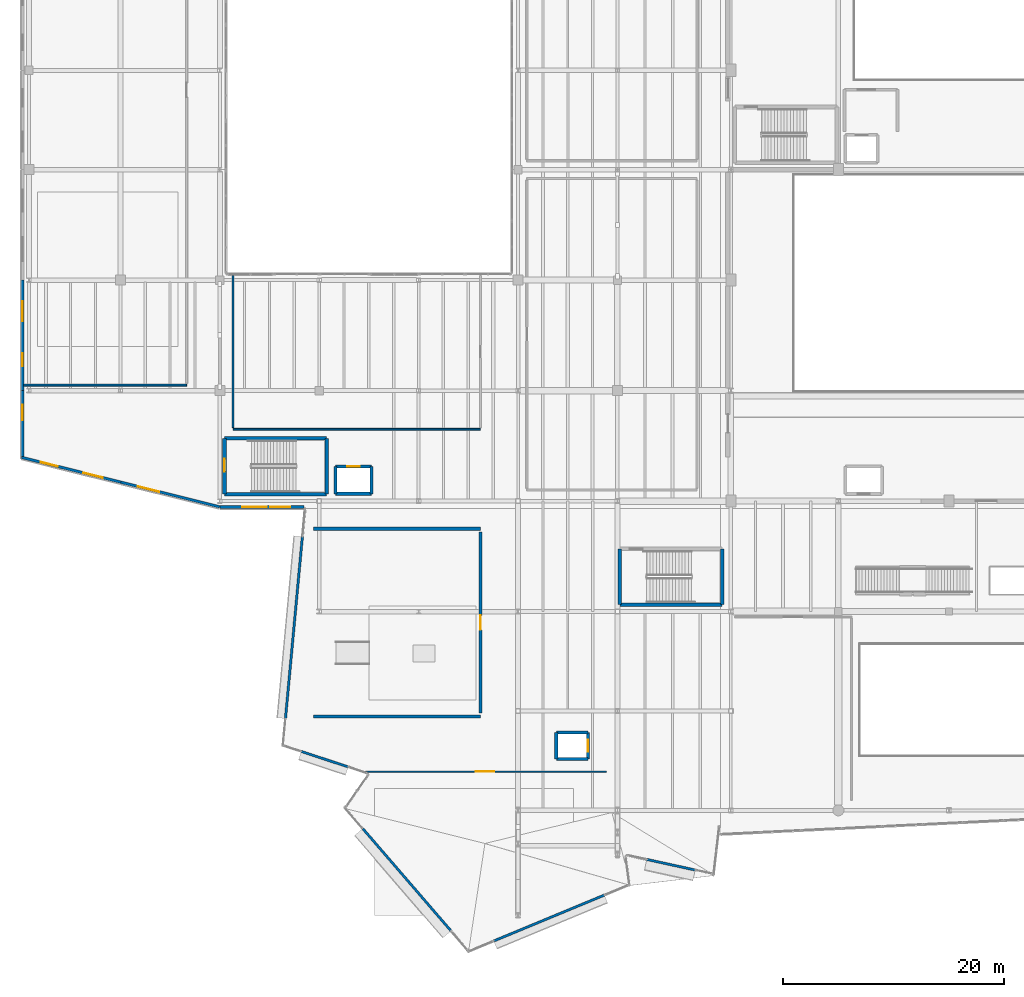
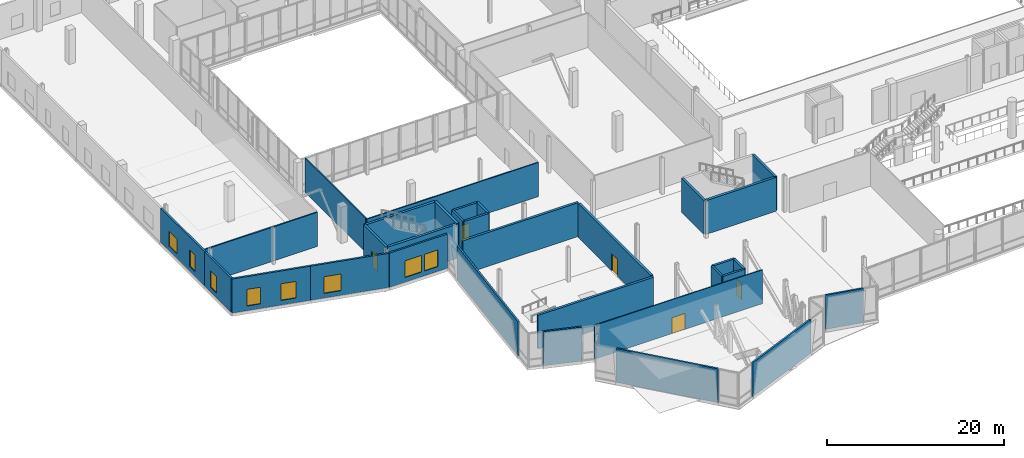
# One storey, part 53 of 73: 32 walls, 8 windows, 5 doors, 13 openings.
"""IFC4 building model written with IfcOpenShell, lengths in metres."""

import ifcopenshell
import ifcopenshell.guid

model = None  # the IFC model being written
_history = None  # IfcOwnerHistory: only IFC2X3 demands one
_inside = {}  # id of a spatial element -> (the spatial element, [elements in it])
_under = {}  # id of a project, library or spatial element -> (it, [spatial elements below it])
_declared = {}  # id of a project -> (the project, [libraries it declares])
_typed = {}  # id of a type object -> (the type object, [elements of that type])
_made_of = {}  # id of a material, layer set ... -> (it, [elements and type objects made of it])


def new_model(schema):
    """Start an empty IFC model of exactly this schema.

    Asked for "IFC4X3", IfcOpenShell would pick the latest addendum, in which some entities
    have other attributes; the version numbers below select the first issue.
    IFC2X3 requires an IfcOwnerHistory on every rooted entity: one is made here for all.
    """
    global model, _history
    if schema == "IFC4X3":
        model = ifcopenshell.file(schema_version=(4, 3, 0, 0))
    else:
        model = ifcopenshell.file(schema=schema)
    _inside.clear()
    _under.clear()
    _declared.clear()
    _typed.clear()
    _made_of.clear()
    _history = None
    if model.schema == "IFC2X3":
        org = make("IfcOrganization", Name="unknown")
        user = make(
            "IfcPersonAndOrganization",
            ThePerson=make("IfcPerson", FamilyName="unknown"),
            TheOrganization=org,
        )
        app = make(
            "IfcApplication",
            ApplicationDeveloper=org,
            Version="unknown",
            ApplicationFullName="unknown",
            ApplicationIdentifier="unknown",
        )
        _history = make(
            "IfcOwnerHistory",
            OwningUser=user,
            OwningApplication=app,
            ChangeAction="ADDED",
            CreationDate=0,
        )
    return model


def make(cls, **values):
    """One entity of the class cls with the attributes given. An attribute that is None is left unset."""
    return model.create_entity(
        cls, **{name: value for name, value in values.items() if value is not None}
    )


def rooted(cls, **values):
    """An entity with a GlobalId (a new one), such as an element, a storey or a relation."""
    return make(cls, GlobalId=ifcopenshell.guid.new(), OwnerHistory=_history, **values)


def si_unit(unit_type, name, prefix=None):
    """IfcSIUnit, for example si_unit("LENGTHUNIT", "METRE", prefix="MILLI")."""
    return make("IfcSIUnit", UnitType=unit_type, Prefix=prefix, Name=name)


def assignment(units):
    """IfcUnitAssignment: the units of a project."""
    return None if units is None else make("IfcUnitAssignment", Units=units)


def point(xyz):
    """IfcCartesianPoint."""
    return None if xyz is None else make("IfcCartesianPoint", Coordinates=xyz)


def direction(xyz):
    """IfcDirection."""
    return None if xyz is None else make("IfcDirection", DirectionRatios=xyz)


def frame(location, z_axis=None, x_axis=None):
    """IfcAxis2Placement3D, a coordinate frame: its origin and axes. An axis left out is left unset."""
    return make(
        "IfcAxis2Placement3D",
        Location=point(location),
        Axis=direction(z_axis),
        RefDirection=direction(x_axis),
    )


def frame_2d(location, x_axis=None):
    """IfcAxis2Placement2D, a coordinate frame in the plane: its origin and x axis."""
    return make(
        "IfcAxis2Placement2D", Location=point(location), RefDirection=direction(x_axis)
    )


def origin():
    """The frame at (0, 0, 0) with its axes left unset."""
    return frame((0.0, 0.0, 0.0))


def place(relative_to, where):
    """IfcLocalPlacement: puts the frame where relative to a parent placement (None: the world)."""
    return make(
        "IfcLocalPlacement", PlacementRelTo=relative_to, RelativePlacement=where
    )


def context(
    kind, dimensions, precision=None, world=None, true_north=None, identifier=None
):
    """IfcGeometricRepresentationContext, for example the 3D "Model" context."""
    return make(
        "IfcGeometricRepresentationContext",
        ContextIdentifier=identifier,
        ContextType=kind,
        CoordinateSpaceDimension=dimensions,
        Precision=precision,
        WorldCoordinateSystem=world,
        TrueNorth=true_north,
    )


def subcontext(parent, identifier, kind, view, scale=None):
    """IfcGeometricRepresentationSubContext, for example "Body" below "Model"."""
    return make(
        "IfcGeometricRepresentationSubContext",
        ContextIdentifier=identifier,
        ContextType=kind,
        ParentContext=parent,
        TargetScale=scale,
        TargetView=view,
    )


def project(units=None, contexts=None):
    """IfcProject with its units and contexts."""
    return rooted(
        "IfcProject",
        Name="project",
        RepresentationContexts=contexts,
        UnitsInContext=assignment(units),
    )


def spatial(cls, under=None, at=None, **own):
    """A site, building, storey or space (cls), placed at a placement, below another one or the project."""
    s = rooted(cls, ObjectPlacement=at, **own)
    if under is not None:
        _under.setdefault(under.id(), (under, []))[1].append(s)
    return s


def profile(cls, at=None, kind="AREA", **sizes):
    """A parametric profile (cls). Its sizes go by their IFC names, for example OverallWidth=200.0."""
    return make(cls, ProfileType=kind, Position=at, **sizes)


def rectangle(**sizes):
    """IfcRectangleProfileDef."""
    return profile("IfcRectangleProfileDef", **sizes)


def extrude(swept, where, along, depth):
    """IfcExtrudedAreaSolid: the profile swept, set in the frame where, extruded along a direction by depth."""
    return make(
        "IfcExtrudedAreaSolid",
        SweptArea=swept,
        Position=where,
        ExtrudedDirection=direction(along),
        Depth=depth,
    )


def shape(context_of_items, identifier, shape_type, items):
    """IfcShapeRepresentation: the items that make up one representation, for example the "Body"."""
    return make(
        "IfcShapeRepresentation",
        ContextOfItems=context_of_items,
        RepresentationIdentifier=identifier,
        RepresentationType=shape_type,
        Items=items,
    )


def material(Name=None, Category=None):
    """IfcMaterial."""
    return make("IfcMaterial", Name=Name, Category=Category)


def layer(
    of_material, thickness, ventilated=None, Name=None, Category=None, Priority=None
):
    """IfcMaterialLayer: one layer of a wall or slab, of a material (None: an air gap)."""
    return make(
        "IfcMaterialLayer",
        Material=of_material,
        LayerThickness=thickness,
        IsVentilated=ventilated,
        Name=Name,
        Category=Category,
        Priority=Priority,
    )


def layer_set(layers, Name=None):
    """IfcMaterialLayerSet."""
    return make("IfcMaterialLayerSet", MaterialLayers=layers, LayerSetName=Name)


def made_of(thing, what):
    """Note that an element or type object is made of a material, layer set ...; save() writes the relation."""
    if what is not None:
        _made_of.setdefault(what.id(), (what, []))[1].append(thing)
    return thing


def type_object(cls, material=None, **own):
    """A type object (cls), such as IfcWallType, which elements share."""
    return made_of(rooted(cls, **own), material)


def element(
    cls,
    number,
    at=None,
    inside=None,
    cuts=None,
    type_object=None,
    material=None,
    context=None,
    identifier="Body",
    shape_type=None,
    held_by="IfcProductDefinitionShape",
    body=None,
    shapes=None,
    **own,
):
    """One element of the class cls, such as IfcWall. Its Tag is "e" and its number.

    at: its placement. inside: the storey or other place that contains it. cuts: it is an
    opening in that element (IfcRelVoidsElement). A single representation is given by context,
    identifier, shape_type and body (its items); several are given by shapes. held_by: the class
    of the entity that holds the representations. save() writes the other relations.
    """
    e = rooted(cls, Tag="e%d" % number, ObjectPlacement=at, **own)
    if body is not None:
        shapes = [shape(context, identifier, shape_type, body)]
    if shapes is not None:
        e.Representation = make(held_by, Representations=shapes)
    if inside is not None:
        _inside.setdefault(inside.id(), (inside, []))[1].append(e)
    if cuts is not None:
        rooted(
            "IfcRelVoidsElement", RelatingBuildingElement=cuts, RelatedOpeningElement=e
        )
    if type_object is not None:
        _typed.setdefault(type_object.id(), (type_object, []))[1].append(e)
    return made_of(e, material)


def fill(opening, filler):
    """IfcRelFillsElement: the door or window that sits in an opening."""
    return rooted(
        "IfcRelFillsElement",
        RelatingOpeningElement=opening,
        RelatedBuildingElement=filler,
    )


def aggregate(whole, parts):
    """IfcRelAggregates: a whole, such as a stair, and the parts it consists of."""
    return rooted("IfcRelAggregates", RelatingObject=whole, RelatedObjects=parts)


def save(model, path):
    """Write the relations noted so far, then the file.

    IfcRelAggregates (storeys below a building ...), IfcRelContainedInSpatialStructure (elements
    in a storey), IfcRelDefinesByType, IfcRelAssociatesMaterial and IfcRelDeclares: one each for
    every whole, place, type object, material and project.
    """
    for whole, parts in _under.values():
        aggregate(whole, parts)
    for where, things in _inside.values():
        rooted(
            "IfcRelContainedInSpatialStructure",
            RelatedElements=things,
            RelatingStructure=where,
        )
    for kind, things in _typed.values():
        rooted("IfcRelDefinesByType", RelatedObjects=things, RelatingType=kind)
    for what, things in _made_of.values():
        rooted("IfcRelAssociatesMaterial", RelatedObjects=things, RelatingMaterial=what)
    for by, libraries in _declared.values():
        rooted("IfcRelDeclares", RelatingContext=by, RelatedDefinitions=libraries)
    model.write(path)


model = new_model("IFC4")

# Units and contexts
model_context = context("Model", 3, precision=1e-05, world=origin(), true_north=direction((0.0, 1.0)))
body_context = subcontext(model_context, "Body", "Model", "MODEL_VIEW")
ifc_project = project(units=[si_unit("LENGTHUNIT", "METRE"), si_unit("AREAUNIT", "SQUARE_METRE"), si_unit("VOLUMEUNIT", "CUBIC_METRE"), si_unit("PLANEANGLEUNIT", "RADIAN"), si_unit("MASSUNIT", "GRAM", prefix="KILO")], contexts=[model_context])

# Site, building, storey
site_placement = place(None, origin())
site = spatial("IfcSite", under=ifc_project, at=site_placement, CompositionType="ELEMENT")
building_placement = place(site_placement, origin())
building = spatial("IfcBuilding", under=site, at=building_placement, Name="Trimount Lyric Opera House", CompositionType="ELEMENT")
storey_placement = place(building_placement, frame((0.0, 0.0, 10.0)))
storey = spatial("IfcBuildingStorey", under=building, at=storey_placement, Name="L02", CompositionType="ELEMENT", Elevation=10.0)

# Wall, opening, door
ifc_material_1 = material(Name="Gypsum Board Partition")
ifc_layer_1 = layer(ifc_material_1, 0.1201171875)
ifc_layer_set_1 = layer_set([ifc_layer_1], Name="WL-PT120")
wall_type_1 = type_object("IfcWallType", Name="WL-PT120", PredefinedType="PARTITIONING", material=ifc_layer_set_1)
wall_1_placement = place(storey_placement, frame((53.0, 29.5, 0.0), z_axis=(0.0, 0.0, 1.0), x_axis=(-1.0, 0.0, 0.0)))
wall_1 = element("IfcWall", 1, at=wall_1_placement, inside=storey, type_object=wall_type_1, Name="L02 Broken-Crystal Cantilever Foyer N partition", PredefinedType="PARTITIONING", context=body_context, shape_type="SweptSolid", body=[
    extrude(rectangle(XDim=22.0, YDim=0.1201171875, at=frame_2d((11.0, 0.0))), origin(), (0.0, 0.0, 1.0), 4.675048828125),
])
opening_1_placement = place(wall_1_placement, frame((10.14990234375, 0.0, 0.0)))
opening_1 = element("IfcOpeningElement", 2, at=opening_1_placement, cuts=wall_1, Name="Opening DT-COR2", PredefinedType="OPENING", context=body_context, shape_type="SweptSolid", body=[
    extrude(rectangle(XDim=1.699951171875, YDim=2.199951171875, at=frame_2d((0.85009765625, 1.10009765625))), frame((0.0, 0.070068359375, 0.0), z_axis=(0.0, -1.0, 0.0), x_axis=(1.0, 0.0, 0.0)), (0.0, 0.0, 1.0), 0.14013671875),
])
ifc_material_2 = material(Name="Solid Core White Oak")
door_type_1 = type_object("IfcDoorType", Name="DT-COR2", OperationType="DOUBLE_DOOR_SINGLE_SWING", PredefinedType="DOOR", material=ifc_material_2)
door_1_placement = place(opening_1_placement, origin())
door_1 = element("IfcDoor", 3, at=door_1_placement, inside=storey, type_object=door_type_1, Name="D-211", OperationType="DOUBLE_DOOR_SINGLE_SWING", OverallHeight=2.199951171875, OverallWidth=1.699951171875, PredefinedType="DOOR", context=body_context, shape_type="SweptSolid", body=[
    extrude(rectangle(XDim=1.699951171875, YDim=2.199951171875, at=frame_2d((0.85009765625, 1.10009765625))), frame((0.0, 0.02490234375, 0.0), z_axis=(0.0, -1.0, 0.0), x_axis=(1.0, 0.0, 0.0)), (0.0, 0.0, 1.0), 0.050048828125),
])
fill(opening_1, door_1)

# Walls
ifc_material_3 = material(Name="Fire-Rated Gypsum Board Partition")
ifc_layer_2 = layer(ifc_material_3, 0.14990234375)
ifc_layer_set_2 = layer_set([ifc_layer_2], Name="WL-PT150")
wall_type_2 = type_object("IfcWallType", Name="WL-PT150", PredefinedType="PARTITIONING", material=ifc_layer_set_2)
wall_2_placement = place(storey_placement, frame((19.199951171875, 60.5, 0.0), z_axis=(0.0, 0.0, 1.0), x_axis=(1.0, 0.0, 0.0)))
element("IfcWall", 4, at=wall_2_placement, inside=storey, type_object=wall_type_2, Name="L02 Principal & Guest Artist Suites S partition", PredefinedType="PARTITIONING", context=body_context, shape_type="SweptSolid", body=[
    extrude(rectangle(XDim=22.400146484375, YDim=0.14990234375, at=frame_2d((11.2001953125, 0.0))), origin(), (0.0, 0.0, 1.0), 4.719970703125),
])
wall_3_placement = place(storey_placement, frame((19.199951171875, 74.39990234375, 0.0), z_axis=(0.0, 0.0, 1.0), x_axis=(0.0, -1.0, 0.0)))
element("IfcWall", 5, at=wall_3_placement, inside=storey, type_object=wall_type_2, Name="L02 Principal & Guest Artist Suites W partition", PredefinedType="PARTITIONING", context=body_context, shape_type="SweptSolid", body=[
    extrude(rectangle(XDim=13.75, YDim=0.14990234375, at=frame_2d((6.875, 0.0))), origin(), (0.0, 0.0, 1.0), 4.719970703125),
])
ifc_material_4 = material(Name="Acoustic Double-Stud Gypsum Board")
ifc_layer_3 = layer(ifc_material_4, 0.179931640625)
ifc_layer_set_3 = layer_set([ifc_layer_3], Name="WL-PT180")
wall_type_3 = type_object("IfcWallType", Name="WL-PT180", PredefinedType="PARTITIONING", material=ifc_layer_set_3)
wall_4_placement = place(storey_placement, frame((0.25, 64.5, 0.0), z_axis=(0.0, 0.0, 1.0), x_axis=(1.0, 0.0, 0.0)))
element("IfcWall", 6, at=wall_4_placement, inside=storey, type_object=wall_type_3, Name="L02 Chorus Rehearsal Hall S partition", PredefinedType="PARTITIONING", context=body_context, shape_type="SweptSolid", body=[
    extrude(rectangle(XDim=14.75, YDim=0.179931640625, at=frame_2d((7.375, 0.0))), origin(), (0.0, 0.0, 1.0), 4.719970703125),
])
ifc_material_5 = material(Name="Concrete C40/50", Category="concrete")
ifc_layer_4 = layer(ifc_material_5, 0.280029296875)
ifc_layer_set_4 = layer_set([ifc_layer_4], Name="WL-SH280")
wall_type_4 = type_object("IfcWallType", Name="WL-SH280", PredefinedType="SHEAR", material=ifc_layer_set_4)
wall_5_placement = place(storey_placement, frame((28.4599609375, 54.659912109375, 0.0), z_axis=(0.0, 0.0, 1.0), x_axis=(1.0, 0.0, 0.0)))
element("IfcWall", 7, at=wall_5_placement, inside=storey, type_object=wall_type_4, Name="Lift LF-06 L02 south shaft wall", PredefinedType="SHEAR", context=body_context, shape_type="SweptSolid", body=[
    extrude(rectangle(XDim=3.280029296875, YDim=0.280029296875, at=frame_2d((1.64013671875, 0.0))), origin(), (0.0, 0.0, 1.0), 4.719970703125),
])

# Wall, opening, door
wall_6_placement = place(storey_placement, frame((31.739990234375, 57.139892578125, 0.0), z_axis=(0.0, 0.0, 1.0), x_axis=(-1.0, 0.0, 0.0)))
wall_6 = element("IfcWall", 8, at=wall_6_placement, inside=storey, type_object=wall_type_4, Name="Lift LF-06 L02 north shaft wall", PredefinedType="SHEAR", context=body_context, shape_type="SweptSolid", body=[
    extrude(rectangle(XDim=3.280029296875, YDim=0.280029296875, at=frame_2d((1.64013671875, 0.0))), origin(), (0.0, 0.0, 1.0), 4.719970703125),
])
opening_2_placement = place(wall_6_placement, frame((1.090087890625, 0.0, 0.0)))
opening_2 = element("IfcOpeningElement", 9, at=opening_2_placement, cuts=wall_6, Name="Opening DT-LD1", PredefinedType="OPENING", context=body_context, shape_type="SweptSolid", body=[
    extrude(rectangle(XDim=1.10009765625, YDim=2.199951171875, at=frame_2d((0.550048828125, 1.10009765625))), frame((0.0, 0.14990234375, 0.0), z_axis=(0.0, -1.0, 0.0), x_axis=(1.0, 0.0, 0.0)), (0.0, 0.0, 1.0), 0.300048828125),
])
ifc_material_6 = material(Name="Brushed Stainless Steel", Category="steel")
door_type_2 = type_object("IfcDoorType", Name="DT-LD1", OperationType="SLIDING_TO_LEFT", PredefinedType="DOOR", material=ifc_material_6)
door_2_placement = place(opening_2_placement, origin())
door_2 = element("IfcDoor", 10, at=door_2_placement, inside=storey, type_object=door_type_2, Name="D-110", OperationType="SLIDING_TO_LEFT", OverallHeight=2.199951171875, OverallWidth=1.10009765625, PredefinedType="DOOR", context=body_context, shape_type="SweptSolid", body=[
    extrude(rectangle(XDim=1.10009765625, YDim=2.199951171875, at=frame_2d((0.550048828125, 1.10009765625))), frame((0.0, 0.02490234375, 0.0), z_axis=(0.0, -1.0, 0.0), x_axis=(1.0, 0.0, 0.0)), (0.0, 0.0, 1.0), 0.050048828125),
])
fill(opening_2, door_2)

# Walls
for number, where, z_axis, x_axis, name in (
    (11, (28.4599609375, 57.139892578125, 0.0), (0.0, 0.0, 1.0), (0.0, -1.0, 0.0), "Lift LF-06 L02 west shaft wall"),
    (12, (31.739990234375, 54.659912109375, 0.0), (0.0, 0.0, 1.0), (0.0, 1.0, 0.0), "Lift LF-06 L02 east shaft wall"),
):
    element("IfcWall", number, at=place(storey_placement, frame(where, z_axis=z_axis, x_axis=x_axis)), inside=storey, type_object=wall_type_4, Name=name, PredefinedType="SHEAR", context=body_context, shape_type="SweptSolid", body=[
        extrude(rectangle(XDim=2.47998046875, YDim=0.280029296875, at=frame_2d((1.239990234375, 0.0))), origin(), (0.0, 0.0, 1.0), 4.719970703125),
    ])
for number, where, z_axis, x_axis, name in (
    (13, (48.4599609375, 30.659912109375, 0.0), (0.0, 0.0, 1.0), (1.0, 0.0, 0.0), "Lift LF-08 L02 south shaft wall"),
    (14, (51.340087890625, 33.0400390625, 0.0), (0.0, 0.0, 1.0), (-1.0, 0.0, 0.0), "Lift LF-08 L02 north shaft wall"),
):
    element("IfcWall", number, at=place(storey_placement, frame(where, z_axis=z_axis, x_axis=x_axis)), inside=storey, type_object=wall_type_4, Name=name, PredefinedType="SHEAR", context=body_context, shape_type="SweptSolid", body=[
        extrude(rectangle(XDim=2.880126953125, YDim=0.280029296875, at=frame_2d((1.43994140625, 0.0))), origin(), (0.0, 0.0, 1.0), 4.675048828125),
    ])
wall_7_placement = place(storey_placement, frame((48.4599609375, 33.0400390625, 0.0), z_axis=(0.0, 0.0, 1.0), x_axis=(0.0, -1.0, 0.0)))
element("IfcWall", 15, at=wall_7_placement, inside=storey, type_object=wall_type_4, Name="Lift LF-08 L02 west shaft wall", PredefinedType="SHEAR", context=body_context, shape_type="SweptSolid", body=[
    extrude(rectangle(XDim=2.380126953125, YDim=0.280029296875, at=frame_2d((1.18994140625, 0.0))), origin(), (0.0, 0.0, 1.0), 4.675048828125),
])

# Wall, opening, door
wall_8_placement = place(storey_placement, frame((51.340087890625, 30.659912109375, 0.0), z_axis=(0.0, 0.0, 1.0), x_axis=(0.0, 1.0, 0.0)))
wall_8 = element("IfcWall", 16, at=wall_8_placement, inside=storey, type_object=wall_type_4, Name="Lift LF-08 L02 east shaft wall", PredefinedType="SHEAR", context=body_context, shape_type="SweptSolid", body=[
    extrude(rectangle(XDim=2.380126953125, YDim=0.280029296875, at=frame_2d((1.18994140625, 0.0))), origin(), (0.0, 0.0, 1.0), 4.675048828125),
])
opening_3_placement = place(wall_8_placement, frame((0.639892578125, 0.0, 0.0)))
opening_3 = element("IfcOpeningElement", 17, at=opening_3_placement, cuts=wall_8, Name="Opening DT-LD1", PredefinedType="OPENING", context=body_context, shape_type="SweptSolid", body=[
    extrude(rectangle(XDim=1.10009765625, YDim=2.199951171875, at=frame_2d((0.550048828125, 1.10009765625))), frame((0.0, 0.14990234375, 0.0), z_axis=(0.0, -1.0, 0.0), x_axis=(1.0, 0.0, 0.0)), (0.0, 0.0, 1.0), 0.300048828125),
])
door_3_placement = place(opening_3_placement, origin())
door_3 = element("IfcDoor", 18, at=door_3_placement, inside=storey, type_object=door_type_2, Name="D-118", OperationType="SLIDING_TO_LEFT", OverallHeight=2.199951171875, OverallWidth=1.10009765625, PredefinedType="DOOR", context=body_context, shape_type="SweptSolid", body=[
    extrude(rectangle(XDim=1.10009765625, YDim=2.199951171875, at=frame_2d((0.550048828125, 1.10009765625))), frame((0.0, 0.02490234375, 0.0), z_axis=(0.0, -1.0, 0.0), x_axis=(1.0, 0.0, 0.0)), (0.0, 0.0, 1.0), 0.050048828125),
])
fill(opening_3, door_3)

# Walls
ifc_material_7 = material(Name="Concrete C40/50", Category="concrete")
ifc_layer_5 = layer(ifc_material_7, 0.300048828125)
ifc_layer_set_5 = layer_set([ifc_layer_5], Name="WL-SH300")
wall_type_5 = type_object("IfcWallType", Name="WL-SH300", PredefinedType="SHEAR", material=ifc_layer_set_5)
for number, where, z_axis, x_axis, name in (
    (19, (26.5, 34.5, 0.0), (0.0, 0.0, 1.0), (1.0, 0.0, 0.0), "L02 Black-Box Studio Theatre S partition"),
    (20, (41.60009765625, 51.5, 0.0), (0.0, 0.0, 1.0), (-1.0, 0.0, 0.0), "L02 Black-Box Studio Theatre N partition"),
):
    element("IfcWall", number, at=place(storey_placement, frame(where, z_axis=z_axis, x_axis=x_axis)), inside=storey, type_object=wall_type_5, Name=name, PredefinedType="SHEAR", context=body_context, shape_type="SweptSolid", body=[
        extrude(rectangle(XDim=15.10009765625, YDim=0.300048828125, at=frame_2d((7.550048828125, 0.0))), origin(), (0.0, 0.0, 1.0), 4.675048828125),
    ])

# Wall, opening, door
wall_9_placement = place(storey_placement, frame((41.60009765625, 34.800048828125, 0.0), z_axis=(0.0, 0.0, 1.0), x_axis=(0.0, 1.0, 0.0)))
wall_9 = element("IfcWall", 21, at=wall_9_placement, inside=storey, type_object=wall_type_5, Name="L02 Black-Box Studio Theatre E partition", PredefinedType="SHEAR", context=body_context, shape_type="SweptSolid", body=[
    extrude(rectangle(XDim=16.39990234375, YDim=0.300048828125, at=frame_2d((8.199951171875, 0.0))), origin(), (0.0, 0.0, 1.0), 4.675048828125),
])
opening_4_placement = place(wall_9_placement, frame((7.550048828125, 0.0, 0.0)))
opening_4 = element("IfcOpeningElement", 22, at=opening_4_placement, cuts=wall_9, Name="Opening DT-AC1", PredefinedType="OPENING", context=body_context, shape_type="SweptSolid", body=[
    extrude(rectangle(XDim=1.300048828125, YDim=2.35009765625, at=frame_2d((0.64990234375, 1.175048828125))), frame((0.0, 0.16015625, 0.0), z_axis=(0.0, -1.0, 0.0), x_axis=(1.0, 0.0, 0.0)), (0.0, 0.0, 1.0), 0.320068359375),
])
ifc_material_8 = material(Name="Acoustic Steel-Core Timber", Category="steel")
door_type_3 = type_object("IfcDoorType", Name="DT-AC1", OperationType="NOTDEFINED", PredefinedType="DOOR", material=ifc_material_8)
door_4_placement = place(opening_4_placement, origin())
door_4 = element("IfcDoor", 23, at=door_4_placement, inside=storey, type_object=door_type_3, Name="D-210", OperationType="SINGLE_SWING_RIGHT", OverallHeight=2.35009765625, OverallWidth=1.300048828125, PredefinedType="DOOR", context=body_context, shape_type="SweptSolid", body=[
    extrude(rectangle(XDim=1.300048828125, YDim=2.35009765625, at=frame_2d((0.64990234375, 1.175048828125))), frame((0.0, 0.02490234375, 0.0), z_axis=(0.0, -1.0, 0.0), x_axis=(1.0, 0.0, 0.0)), (0.0, 0.0, 1.0), 0.050048828125),
])
fill(opening_4, door_4)

# Walls
ifc_material_9 = material(Name="Concrete C40/50", Category="concrete")
ifc_layer_6 = layer(ifc_material_9, 0.320068359375)
ifc_layer_set_6 = layer_set([ifc_layer_6], Name="WL-SH320")
wall_type_6 = type_object("IfcWallType", Name="WL-SH320", PredefinedType="SHEAR", material=ifc_layer_set_6)
for number, where, z_axis, x_axis, name in (
    (24, (18.425048828125, 54.625, 0.0), (0.0, 0.0, 1.0), (1.0, 0.0, 0.0), "K6 L02 south shaft wall"),
    (25, (27.675048828125, 59.675048828125, 0.0), (0.0, 0.0, 1.0), (-1.0, 0.0, 0.0), "K6 L02 north shaft wall"),
):
    element("IfcWall", number, at=place(storey_placement, frame(where, z_axis=z_axis, x_axis=x_axis)), inside=storey, type_object=wall_type_6, Name=name, PredefinedType="SHEAR", context=body_context, shape_type="SweptSolid", body=[
        extrude(rectangle(XDim=9.25, YDim=0.320068359375, at=frame_2d((4.625, 0.0))), origin(), (0.0, 0.0, 1.0), 4.719970703125),
    ])

# Wall, opening, door
wall_10_placement = place(storey_placement, frame((18.425048828125, 59.675048828125, 0.0), z_axis=(0.0, 0.0, 1.0), x_axis=(0.0, -1.0, 0.0)))
wall_10 = element("IfcWall", 26, at=wall_10_placement, inside=storey, type_object=wall_type_6, Name="K6 L02 west shaft wall", PredefinedType="SHEAR", context=body_context, shape_type="SweptSolid", body=[
    extrude(rectangle(XDim=5.050048828125, YDim=0.320068359375, at=frame_2d((2.52490234375, 0.0))), origin(), (0.0, 0.0, 1.0), 4.719970703125),
])
opening_5_placement = place(wall_10_placement, frame((1.85009765625, 0.0, 0.0)))
opening_5 = element("IfcOpeningElement", 27, at=opening_5_placement, cuts=wall_10, Name="Opening DT-ST1", PredefinedType="OPENING", context=body_context, shape_type="SweptSolid", body=[
    extrude(rectangle(XDim=1.14990234375, YDim=2.199951171875, at=frame_2d((0.574951171875, 1.10009765625))), frame((0.0, 0.169921875, 0.0), z_axis=(0.0, -1.0, 0.0), x_axis=(1.0, 0.0, 0.0)), (0.0, 0.0, 1.0), 0.340087890625),
])
ifc_material_10 = material(Name="Fire-Rated Hollow Steel", Category="steel")
door_type_4 = type_object("IfcDoorType", Name="DT-ST1", OperationType="NOTDEFINED", PredefinedType="DOOR", material=ifc_material_10)
door_5_placement = place(opening_5_placement, origin())
door_5 = element("IfcDoor", 28, at=door_5_placement, inside=storey, type_object=door_type_4, Name="D-048", OperationType="SINGLE_SWING_RIGHT", OverallHeight=2.199951171875, OverallWidth=1.14990234375, PredefinedType="DOOR", context=body_context, shape_type="SweptSolid", body=[
    extrude(rectangle(XDim=1.14990234375, YDim=2.199951171875, at=frame_2d((0.574951171875, 1.10009765625))), frame((0.0, 0.02490234375, 0.0), z_axis=(0.0, -1.0, 0.0), x_axis=(1.0, 0.0, 0.0)), (0.0, 0.0, 1.0), 0.050048828125),
])
fill(opening_5, door_5)

# Walls
wall_11_placement = place(storey_placement, frame((27.675048828125, 54.625, 0.0), z_axis=(0.0, 0.0, 1.0), x_axis=(0.0, 1.0, 0.0)))
element("IfcWall", 29, at=wall_11_placement, inside=storey, type_object=wall_type_6, Name="K6 L02 east shaft wall", PredefinedType="SHEAR", context=body_context, shape_type="SweptSolid", body=[
    extrude(rectangle(XDim=5.050048828125, YDim=0.320068359375, at=frame_2d((2.52490234375, 0.0))), origin(), (0.0, 0.0, 1.0), 4.719970703125),
])
wall_12_placement = place(storey_placement, frame((54.22509765625, 44.625, 0.0), z_axis=(0.0, 0.0, 1.0), x_axis=(1.0, 0.0, 0.0)))
element("IfcWall", 30, at=wall_12_placement, inside=storey, type_object=wall_type_6, Name="K7 L02 south shaft wall", PredefinedType="SHEAR", context=body_context, shape_type="SweptSolid", body=[
    extrude(rectangle(XDim=9.25, YDim=0.320068359375, at=frame_2d((4.625, 0.0))), origin(), (0.0, 0.0, 1.0), 4.675048828125),
])
wall_13_placement = place(storey_placement, frame((54.22509765625, 49.675048828125, 0.0), z_axis=(0.0, 0.0, 1.0), x_axis=(0.0, -1.0, 0.0)))
element("IfcWall", 31, at=wall_13_placement, inside=storey, type_object=wall_type_6, Name="K7 L02 west shaft wall", PredefinedType="SHEAR", context=body_context, shape_type="SweptSolid", body=[
    extrude(rectangle(XDim=5.050048828125, YDim=0.320068359375, at=frame_2d((2.52490234375, 0.0))), origin(), (0.0, 0.0, 1.0), 4.675048828125),
])
wall_14_placement = place(storey_placement, frame((63.47509765625, 44.625, 0.0), z_axis=(0.0, 0.0, 1.0), x_axis=(0.0, 1.0, 0.0)))
element("IfcWall", 32, at=wall_14_placement, inside=storey, type_object=wall_type_6, Name="K7 L02 east shaft wall", PredefinedType="SHEAR", context=body_context, shape_type="SweptSolid", body=[
    extrude(rectangle(XDim=5.050048828125, YDim=0.320068359375, at=frame_2d((2.52490234375, 0.0))), origin(), (0.0, 0.0, 1.0), 4.719970703125),
])
ifc_material_11 = material(Name="Concrete C35/45", Category="concrete")
ifc_layer_7 = layer(ifc_material_11, 0.219970703125)
ifc_layer_set_7 = layer_set([ifc_layer_7], Name="WL-SW220")
wall_type_7 = type_object("IfcWallType", Name="WL-SW220", PredefinedType="SOLIDWALL", material=ifc_layer_set_7)
wall_15_placement = place(storey_placement, frame((23.943603515625, 34.30908203125, 0.0), z_axis=(0.0, 0.0, 1.0), x_axis=(0.09253699236, 0.995709247243, 0.0)))
element("IfcWall", 33, at=wall_15_placement, inside=storey, type_object=wall_type_7, Name="L02 broken-crystal backup wall 193", PredefinedType="SOLIDWALL", context=body_context, shape_type="SweptSolid", body=[
    extrude(rectangle(XDim=16.552734375, YDim=0.219970703125, at=frame_2d((8.2763671875, 0.0))), origin(), (0.0, 0.0, 1.0), 4.719970703125),
])
wall_16_placement = place(storey_placement, frame((61.035888671875, 20.5986328125, 0.0), z_axis=(0.0, 0.0, 1.0), x_axis=(-0.97690925187, 0.2136546597, 0.0)))
element("IfcWall", 34, at=wall_16_placement, inside=storey, type_object=wall_type_7, Name="L02 broken-crystal backup wall 236", PredefinedType="SOLIDWALL", context=body_context, shape_type="SweptSolid", body=[
    extrude(rectangle(XDim=4.48388671875, YDim=0.219970703125, at=frame_2d((2.241943359375, 0.0))), origin(), (0.0, 0.0, 1.0), 4.719970703125),
])
wall_17_placement = place(storey_placement, frame((52.821044921875, 18.33203125, 0.0), z_axis=(0.0, 0.0, 1.0), x_axis=(-0.923632226949, -0.383279936001, 0.0)))
element("IfcWall", 35, at=wall_17_placement, inside=storey, type_object=wall_type_7, Name="L02 broken-crystal backup wall 237", PredefinedType="SOLIDWALL", context=body_context, shape_type="SweptSolid", body=[
    extrude(rectangle(XDim=10.85546875, YDim=0.219970703125, at=frame_2d((5.427734375, 0.0))), origin(), (0.0, 0.0, 1.0), 4.675048828125),
])
wall_18_placement = place(storey_placement, frame((38.9306640625, 15.087646484375, 0.0), z_axis=(0.0, 0.0, 1.0), x_axis=(-0.653161731362, 0.757218431289, 0.0)))
element("IfcWall", 36, at=wall_18_placement, inside=storey, type_object=wall_type_7, Name="L02 broken-crystal backup wall 238", PredefinedType="SOLIDWALL", context=body_context, shape_type="SweptSolid", body=[
    extrude(rectangle(XDim=12.240234375, YDim=0.219970703125, at=frame_2d((6.1201171875, 0.0))), origin(), (0.0, 0.0, 1.0), 4.675048828125),
])
wall_19_placement = place(storey_placement, frame((29.6328125, 29.932373046875, 0.0), z_axis=(0.0, 0.0, 1.0), x_axis=(-0.949971070938, 0.312337900967, 0.0)))
element("IfcWall", 37, at=wall_19_placement, inside=storey, type_object=wall_type_7, Name="L02 broken-crystal backup wall 239", PredefinedType="SOLIDWALL", context=body_context, shape_type="SweptSolid", body=[
    extrude(rectangle(XDim=4.484375, YDim=0.219970703125, at=frame_2d((2.2421875, 0.0))), origin(), (0.0, 0.0, 1.0), 4.719970703125),
])

# Wall, openings, windows
ifc_material_12 = material(Name="Concrete C35/45", Category="concrete")
ifc_layer_8 = layer(ifc_material_12, 0.239990234375)
ifc_layer_set_8 = layer_set([ifc_layer_8], Name="WL-SW240")
wall_type_8 = type_object("IfcWallType", Name="WL-SW240", PredefinedType="SOLIDWALL", material=ifc_layer_set_8)
wall_20_placement = place(storey_placement, frame((25.60009765625, 53.4599609375, 0.0), z_axis=(0.0, 0.0, 1.0), x_axis=(-1.0, 0.0, 0.0)))
wall_20 = element("IfcWall", 38, at=wall_20_placement, inside=storey, type_object=wall_type_8, Name="L02 exterior facade wall 194", PredefinedType="SOLIDWALL", context=body_context, shape_type="SweptSolid", body=[
    extrude(rectangle(XDim=7.60009765625, YDim=0.239990234375, at=frame_2d((3.800048828125, 0.0))), origin(), (0.0, 0.0, 1.0), 4.719970703125),
])
opening_6_placement = place(wall_20_placement, frame((1.22802734375, 0.0, 0.64990234375)))
opening_6 = element("IfcOpeningElement", 39, at=opening_6_placement, cuts=wall_20, Name="Opening WT-04", PredefinedType="OPENING", context=body_context, shape_type="SweptSolid", body=[
    extrude(rectangle(XDim=1.800048828125, YDim=2.300048828125, at=frame_2d((0.89990234375, 1.14990234375))), frame((0.0, 0.1298828125, 0.0), z_axis=(0.0, -1.0, 0.0), x_axis=(1.0, 0.0, 0.0)), (0.0, 0.0, 1.0), 0.260009765625),
])
opening_7_placement = place(wall_20_placement, frame((3.3720703125, 0.0, 0.64990234375)))
opening_7 = element("IfcOpeningElement", 40, at=opening_7_placement, cuts=wall_20, Name="Opening WT-02", PredefinedType="OPENING", context=body_context, shape_type="SweptSolid", body=[
    extrude(rectangle(XDim=2.199951171875, YDim=2.300048828125, at=frame_2d((1.10009765625, 1.14990234375))), frame((0.0, 0.1298828125, 0.0), z_axis=(0.0, -1.0, 0.0), x_axis=(1.0, 0.0, 0.0)), (0.0, 0.0, 1.0), 0.260009765625),
])
ifc_material_13 = material(Name="Triple Acoustic Glazing in Aluminium Frame", Category="aluminium")
window_type_1 = type_object("IfcWindowType", Name="WT-02", PartitioningType="DOUBLE_PANEL_VERTICAL", PredefinedType="WINDOW", material=ifc_material_13)
window_1_placement = place(opening_7_placement, origin())
window_1 = element("IfcWindow", 41, at=window_1_placement, inside=storey, type_object=window_type_1, Name="Window WT-02-0132", OverallHeight=2.300048828125, OverallWidth=2.199951171875, PartitioningType="SINGLE_PANEL", PredefinedType="WINDOW", context=body_context, shape_type="SweptSolid", body=[
    extrude(rectangle(XDim=2.199951171875, YDim=2.300048828125, at=frame_2d((1.10009765625, 1.14990234375))), frame((0.0, 0.030029296875, 0.0), z_axis=(0.0, -1.0, 0.0), x_axis=(1.0, 0.0, 0.0)), (0.0, 0.0, 1.0), 0.06005859375),
])
fill(opening_7, window_1)
ifc_material_14 = material(Name="Triple Acoustic Glazing in Aluminium Frame", Category="aluminium")
window_type_2 = type_object("IfcWindowType", Name="WT-04", PartitioningType="DOUBLE_PANEL_VERTICAL", PredefinedType="WINDOW", material=ifc_material_14)
window_2_placement = place(opening_6_placement, origin())
window_2 = element("IfcWindow", 42, at=window_2_placement, inside=storey, type_object=window_type_2, Name="Window WT-04-0131", OverallHeight=2.300048828125, OverallWidth=1.800048828125, PartitioningType="SINGLE_PANEL", PredefinedType="WINDOW", context=body_context, shape_type="SweptSolid", body=[
    extrude(rectangle(XDim=1.800048828125, YDim=2.300048828125, at=frame_2d((0.89990234375, 1.14990234375))), frame((0.0, 0.030029296875, 0.0), z_axis=(0.0, -1.0, 0.0), x_axis=(1.0, 0.0, 0.0)), (0.0, 0.0, 1.0), 0.06005859375),
])
fill(opening_6, window_2)

# Wall, opening, window
wall_21_placement = place(storey_placement, frame((18.0, 53.46435546875, 0.0), z_axis=(0.0, 0.0, 1.0), x_axis=(-0.970144054034, 0.242529409397, 0.0)))
wall_21 = element("IfcWall", 43, at=wall_21_placement, inside=storey, type_object=wall_type_8, Name="L02 exterior facade wall 195", PredefinedType="SOLIDWALL", context=body_context, shape_type="SweptSolid", body=[
    extrude(rectangle(XDim=9.241943359375, YDim=0.239990234375, at=frame_2d((4.62109375, 0.0))), origin(), (0.0, 0.0, 1.0), 4.719970703125),
])
opening_8_placement = place(wall_21_placement, frame((5.654296875, 0.0, 0.64990234375)))
opening_8 = element("IfcOpeningElement", 44, at=opening_8_placement, cuts=wall_21, Name="Opening WT-03", PredefinedType="OPENING", context=body_context, shape_type="SweptSolid", body=[
    extrude(rectangle(XDim=2.0, YDim=2.300048828125, at=frame_2d((1.0, 1.14990234375))), frame((0.0, 0.1298828125, 0.0), z_axis=(0.0, -1.0, 0.0), x_axis=(1.0, 0.0, 0.0)), (0.0, 0.0, 1.0), 0.260009765625),
])
ifc_material_15 = material(Name="Triple Acoustic Glazing in Aluminium Frame", Category="aluminium")
window_type_3 = type_object("IfcWindowType", Name="WT-03", PartitioningType="DOUBLE_PANEL_VERTICAL", PredefinedType="WINDOW", material=ifc_material_15)
window_3_placement = place(opening_8_placement, origin())
window_3 = element("IfcWindow", 45, at=window_3_placement, inside=storey, type_object=window_type_3, Name="Window WT-03-0133", OverallHeight=2.300048828125, OverallWidth=2.0, PartitioningType="SINGLE_PANEL", PredefinedType="WINDOW", context=body_context, shape_type="SweptSolid", body=[
    extrude(rectangle(XDim=2.0, YDim=2.300048828125, at=frame_2d((1.0, 1.14990234375))), frame((0.0, 0.030029296875, 0.0), z_axis=(0.0, -1.0, 0.0), x_axis=(1.0, 0.0, 0.0)), (0.0, 0.0, 1.0), 0.06005859375),
])
fill(opening_8, window_3)

# Wall, openings, windows
wall_22_placement = place(storey_placement, frame((9.033935546875, 55.705810546875, 0.0), z_axis=(0.0, 0.0, 1.0), x_axis=(-0.970142500145, 0.242535625036, 0.0)))
wall_22 = element("IfcWall", 46, at=wall_22_placement, inside=storey, type_object=wall_type_8, Name="L02 exterior facade wall 196", PredefinedType="SOLIDWALL", context=body_context, shape_type="SweptSolid", body=[
    extrude(rectangle(XDim=9.277099609375, YDim=0.239990234375, at=frame_2d((4.638671875, 0.0))), origin(), (0.0, 0.0, 1.0), 4.719970703125),
])
opening_9_placement = place(wall_22_placement, frame((1.697509765625, 0.0, 0.64990234375)))
opening_9 = element("IfcOpeningElement", 47, at=opening_9_placement, cuts=wall_22, Name="Opening WT-04", PredefinedType="OPENING", context=body_context, shape_type="SweptSolid", body=[
    extrude(rectangle(XDim=1.800048828125, YDim=2.300048828125, at=frame_2d((0.89990234375, 1.14990234375))), frame((0.0, 0.1298828125, 0.0), z_axis=(0.0, -1.0, 0.0), x_axis=(1.0, 0.0, 0.0)), (0.0, 0.0, 1.0), 0.260009765625),
])
opening_10_placement = place(wall_22_placement, frame((5.87939453125, 0.0, 0.64990234375)))
opening_10 = element("IfcOpeningElement", 48, at=opening_10_placement, cuts=wall_22, Name="Opening WT-05", PredefinedType="OPENING", context=body_context, shape_type="SweptSolid", body=[
    extrude(rectangle(XDim=1.60009765625, YDim=2.300048828125, at=frame_2d((0.800048828125, 1.14990234375))), frame((0.0, 0.1298828125, 0.0), z_axis=(0.0, -1.0, 0.0), x_axis=(1.0, 0.0, 0.0)), (0.0, 0.0, 1.0), 0.260009765625),
])
window_4_placement = place(opening_9_placement, origin())
window_4 = element("IfcWindow", 49, at=window_4_placement, inside=storey, type_object=window_type_2, Name="Window WT-04-0134", OverallHeight=2.300048828125, OverallWidth=1.800048828125, PartitioningType="SINGLE_PANEL", PredefinedType="WINDOW", context=body_context, shape_type="SweptSolid", body=[
    extrude(rectangle(XDim=1.800048828125, YDim=2.300048828125, at=frame_2d((0.89990234375, 1.14990234375))), frame((0.0, 0.030029296875, 0.0), z_axis=(0.0, -1.0, 0.0), x_axis=(1.0, 0.0, 0.0)), (0.0, 0.0, 1.0), 0.06005859375),
])
fill(opening_9, window_4)
ifc_material_16 = material(Name="Triple Acoustic Glazing in Aluminium Frame", Category="aluminium")
window_type_4 = type_object("IfcWindowType", Name="WT-05", PartitioningType="SINGLE_PANEL", PredefinedType="WINDOW", material=ifc_material_16)
window_5_placement = place(opening_10_placement, origin())
window_5 = element("IfcWindow", 50, at=window_5_placement, inside=storey, type_object=window_type_4, Name="Window WT-05-0135", OverallHeight=2.300048828125, OverallWidth=1.60009765625, PartitioningType="SINGLE_PANEL", PredefinedType="WINDOW", context=body_context, shape_type="SweptSolid", body=[
    extrude(rectangle(XDim=1.60009765625, YDim=2.300048828125, at=frame_2d((0.800048828125, 1.14990234375))), frame((0.0, 0.030029296875, 0.0), z_axis=(0.0, -1.0, 0.0), x_axis=(1.0, 0.0, 0.0)), (0.0, 0.0, 1.0), 0.06005859375),
])
fill(opening_10, window_5)

# Wall, opening, window
wall_23_placement = place(storey_placement, frame((0.139892578125, 58.05810546875, 0.0), z_axis=(0.0, 0.0, 1.0), x_axis=(0.0, 1.0, 0.0)))
wall_23 = element("IfcWall", 51, at=wall_23_placement, inside=storey, type_object=wall_type_8, Name="L02 exterior facade wall 197", PredefinedType="SOLIDWALL", context=body_context, shape_type="SweptSolid", body=[
    extrude(rectangle(XDim=5.94189453125, YDim=0.239990234375, at=frame_2d((2.970947265625, 0.0))), origin(), (0.0, 0.0, 1.0), 4.719970703125),
])
opening_11_placement = place(wall_23_placement, frame((3.27099609375, 0.0, 0.64990234375)))
opening_11 = element("IfcOpeningElement", 52, at=opening_11_placement, cuts=wall_23, Name="Opening WT-06", PredefinedType="OPENING", context=body_context, shape_type="SweptSolid", body=[
    extrude(rectangle(XDim=1.39990234375, YDim=2.300048828125, at=frame_2d((0.699951171875, 1.14990234375))), frame((0.0, 0.1298828125, 0.0), z_axis=(0.0, -1.0, 0.0), x_axis=(1.0, 0.0, 0.0)), (0.0, 0.0, 1.0), 0.260009765625),
])
ifc_material_17 = material(Name="Triple Acoustic Glazing in Aluminium Frame", Category="aluminium")
window_type_5 = type_object("IfcWindowType", Name="WT-06", PartitioningType="SINGLE_PANEL", PredefinedType="WINDOW", material=ifc_material_17)
window_6_placement = place(opening_11_placement, origin())
window_6 = element("IfcWindow", 53, at=window_6_placement, inside=storey, type_object=window_type_5, Name="Window WT-06-0136", OverallHeight=2.300048828125, OverallWidth=1.39990234375, PartitioningType="SINGLE_PANEL", PredefinedType="WINDOW", context=body_context, shape_type="SweptSolid", body=[
    extrude(rectangle(XDim=1.39990234375, YDim=2.300048828125, at=frame_2d((0.699951171875, 1.14990234375))), frame((0.0, 0.030029296875, 0.0), z_axis=(0.0, -1.0, 0.0), x_axis=(1.0, 0.0, 0.0)), (0.0, 0.0, 1.0), 0.06005859375),
])
fill(opening_11, window_6)

# Wall, openings, windows
wall_24_placement = place(storey_placement, frame((0.139892578125, 64.0, 0.0), z_axis=(0.0, 0.0, 1.0), x_axis=(0.0, 1.0, 0.0)))
wall_24 = element("IfcWall", 54, at=wall_24_placement, inside=storey, type_object=wall_type_8, Name="L02 exterior facade wall 198", PredefinedType="SOLIDWALL", context=body_context, shape_type="SweptSolid", body=[
    extrude(rectangle(XDim=10.0, YDim=0.239990234375, at=frame_2d((5.0, 0.0))), origin(), (0.0, 0.0, 1.0), 4.719970703125),
])
opening_12_placement = place(wall_24_placement, frame((2.199951171875, 0.0, 0.64990234375)))
opening_12 = element("IfcOpeningElement", 55, at=opening_12_placement, cuts=wall_24, Name="Opening WT-07", PredefinedType="OPENING", context=body_context, shape_type="SweptSolid", body=[
    extrude(rectangle(XDim=1.199951171875, YDim=2.300048828125, at=frame_2d((0.60009765625, 1.14990234375))), frame((0.0, 0.1298828125, 0.0), z_axis=(0.0, -1.0, 0.0), x_axis=(1.0, 0.0, 0.0)), (0.0, 0.0, 1.0), 0.260009765625),
])
opening_13_placement = place(wall_24_placement, frame((6.300048828125, 0.0, 0.64990234375)))
opening_13 = element("IfcOpeningElement", 56, at=opening_13_placement, cuts=wall_24, Name="Opening WT-11", PredefinedType="OPENING", context=body_context, shape_type="SweptSolid", body=[
    extrude(rectangle(XDim=1.800048828125, YDim=2.050048828125, at=frame_2d((0.89990234375, 1.02490234375))), frame((0.0, 0.1298828125, 0.0), z_axis=(0.0, -1.0, 0.0), x_axis=(1.0, 0.0, 0.0)), (0.0, 0.0, 1.0), 0.260009765625),
])
ifc_material_18 = material(Name="Triple Acoustic Glazing in Aluminium Frame", Category="aluminium")
window_type_6 = type_object("IfcWindowType", Name="WT-07", PartitioningType="SINGLE_PANEL", PredefinedType="WINDOW", material=ifc_material_18)
window_7_placement = place(opening_12_placement, origin())
window_7 = element("IfcWindow", 57, at=window_7_placement, inside=storey, type_object=window_type_6, Name="Window WT-07-0137", OverallHeight=2.300048828125, OverallWidth=1.199951171875, PartitioningType="SINGLE_PANEL", PredefinedType="WINDOW", context=body_context, shape_type="SweptSolid", body=[
    extrude(rectangle(XDim=1.199951171875, YDim=2.300048828125, at=frame_2d((0.60009765625, 1.14990234375))), frame((0.0, 0.030029296875, 0.0), z_axis=(0.0, -1.0, 0.0), x_axis=(1.0, 0.0, 0.0)), (0.0, 0.0, 1.0), 0.06005859375),
])
fill(opening_12, window_7)
ifc_material_19 = material(Name="Low-E Insulated Glazing in Bronze Frame", Category="glass")
window_type_7 = type_object("IfcWindowType", Name="WT-11", PartitioningType="DOUBLE_PANEL_VERTICAL", PredefinedType="WINDOW", material=ifc_material_19)
window_8_placement = place(opening_13_placement, origin())
window_8 = element("IfcWindow", 58, at=window_8_placement, inside=storey, type_object=window_type_7, Name="Window WT-11-0138", OverallHeight=2.050048828125, OverallWidth=1.800048828125, PartitioningType="SINGLE_PANEL", PredefinedType="WINDOW", context=body_context, shape_type="SweptSolid", body=[
    extrude(rectangle(XDim=1.800048828125, YDim=2.050048828125, at=frame_2d((0.89990234375, 1.02490234375))), frame((0.0, 0.030029296875, 0.0), z_axis=(0.0, -1.0, 0.0), x_axis=(1.0, 0.0, 0.0)), (0.0, 0.0, 1.0), 0.06005859375),
])
fill(opening_13, window_8)

save(model, "model.ifc")
